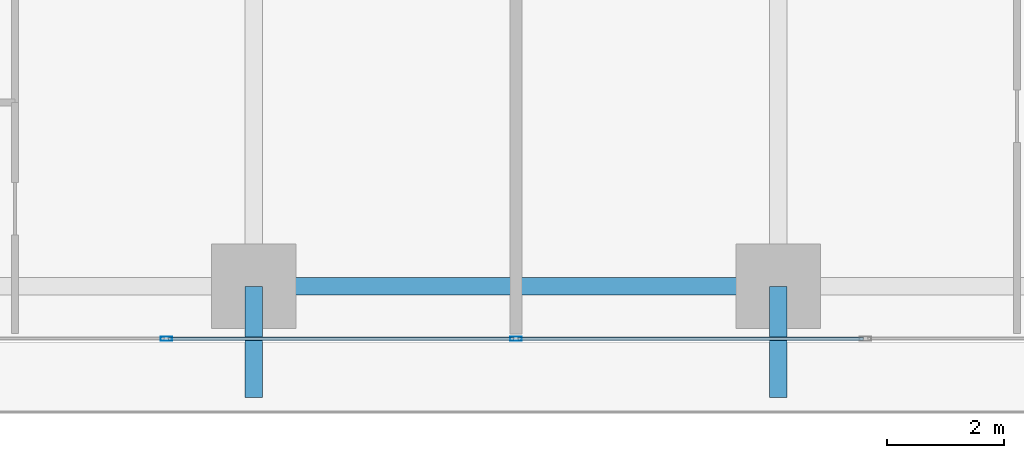
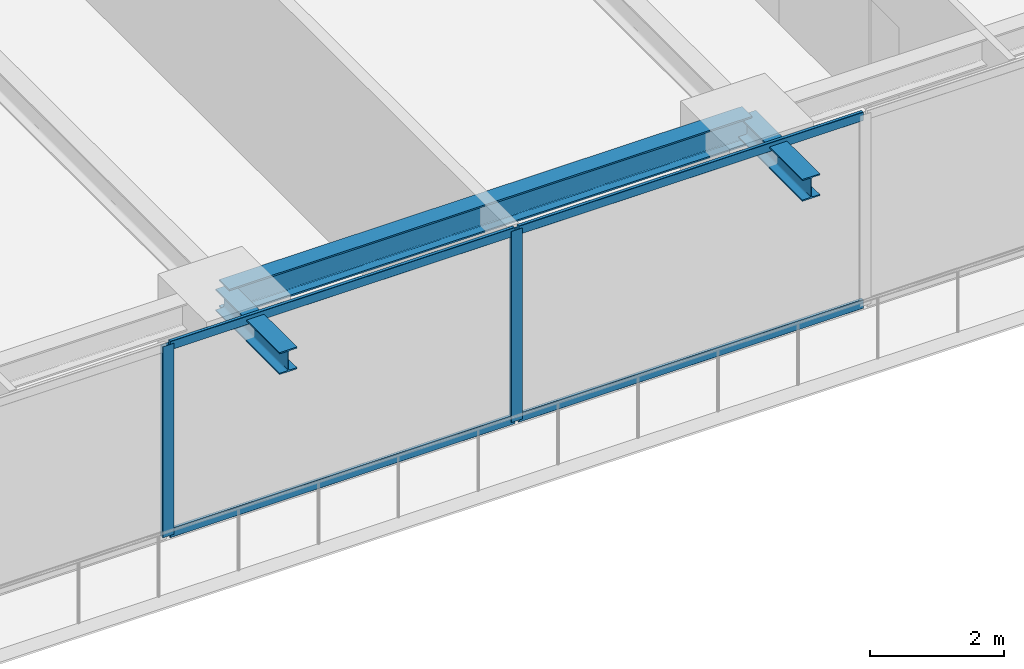
# One storey, part 5 of 39: 6 members, 3 beams, 1 element without a shape of its own.
"""IFC4 building model written with IfcOpenShell, lengths in metres."""

from ifc_helpers import new_model, si_unit, direction, frame, origin, origin_2d, place, context, subcontext, project, spatial, hollow_rectangle, i_section, extrude, source, transform, mapped, material, layer, layer_set, material_profile, profile_set, type_object, element, aggregate, save


model = new_model("IFC4")

# Units and contexts
model_context = context("Model", 3, precision=1e-05, world=origin(), true_north=direction((0.0, 1.0)))
body_context = subcontext(model_context, "Body", "Model", "MODEL_VIEW")
ifc_project = project(units=[si_unit("LENGTHUNIT", "METRE"), si_unit("AREAUNIT", "SQUARE_METRE"), si_unit("VOLUMEUNIT", "CUBIC_METRE"), si_unit("PLANEANGLEUNIT", "RADIAN"), si_unit("MASSUNIT", "GRAM", prefix="KILO")], contexts=[model_context])

# Site, building, storey
site_placement = place(None, origin())
site = spatial("IfcSite", under=ifc_project, at=site_placement, CompositionType="ELEMENT")
building_placement = place(site_placement, origin())
building = spatial("IfcBuilding", under=site, at=building_placement, Name="Serunith Strait Residences", CompositionType="ELEMENT")
storey_placement = place(building_placement, frame((0.0, 0.0, 97.949951171875)))
storey = spatial("IfcBuildingStorey", under=building, at=storey_placement, Name="L24", CompositionType="ELEMENT", Elevation=97.949951171875)

# Beams
ifc_material_1 = material(Name="Steel S355J2", Category="steel")
ifc_material_profile_1 = material_profile(ifc_material_1, i_section(OverallWidth=0.300048828125, OverallDepth=0.5, WebThickness=0.014404296875, FlangeThickness=0.028076171875, FilletRadius=0.027099609375, at=origin_2d()), Name="HEB 500")
ifc_profile_set_1 = profile_set([ifc_material_profile_1], Name="Steel S355J2")
beam_type_1 = type_object("IfcBeamType", Name="BM-HEB500", PredefinedType="BEAM", material=ifc_profile_set_1)
shared_shape_1 = source(origin(), body_context, "Body", "SweptSolid", [
    extrude(i_section(OverallWidth=0.300048828125, OverallDepth=0.5, WebThickness=0.014404296875, FlangeThickness=0.028076171875, FilletRadius=0.027099609375, at=origin_2d()), origin(), (0.0, 0.0, 1.0), 9.0),
])
beam_placement = place(storey_placement, frame((27.89990234375, 1.10009765625, 3.237060546875), z_axis=(1.0, 0.0, 0.0), x_axis=(0.0, 1.0, 0.0)))
element("IfcBeam", 1, at=beam_placement, inside=storey, type_object=beam_type_1, Name="L24 Perimeter Ring Beam 02", PredefinedType="BEAM", context=body_context, shape_type="MappedRepresentation", body=[
    mapped(shared_shape_1, transform((0.0, 0.0, 0.0), scale=1.0)),
])
ifc_material_profile_2 = material_profile(ifc_material_1, i_section(OverallWidth=0.300048828125, OverallDepth=0.39990234375, WebThickness=0.013427734375, FlangeThickness=0.02392578125, FilletRadius=0.027099609375, at=origin_2d()), Name="HEB 400")
ifc_profile_set_2 = profile_set([ifc_material_profile_2], Name="Steel S355J2")
beam_type_2 = type_object("IfcBeamType", Name="BM-HEB400", PredefinedType="BEAM", material=ifc_profile_set_2)
shared_shape_2 = source(origin(), body_context, "Body", "SweptSolid", [
    extrude(i_section(OverallWidth=0.300048828125, OverallDepth=0.39990234375, WebThickness=0.013427734375, FlangeThickness=0.02392578125, FilletRadius=0.027099609375, at=origin_2d()), origin(), (0.0, 0.0, 1.0), 1.91015625),
])
for number, where, z_axis, x_axis, name in (
    (2, (27.89990234375, 1.10009765625, 3.257080078125), (0.0, -1.0, 0.0), (1.0, 0.0, 0.0), "L25 Cantilevered Balcony Rib TC-S2"),
    (3, (36.89990234375, 1.10009765625, 3.257080078125), (0.0, -1.0, 0.0), (1.0, 0.0, 0.0), "L25 Cantilevered Balcony Rib TC-S3"),
):
    element("IfcBeam", number, at=place(storey_placement, frame(where, z_axis=z_axis, x_axis=x_axis)), inside=storey, type_object=beam_type_2, Name=name, PredefinedType="BEAM", context=body_context, shape_type="MappedRepresentation", body=[
        mapped(shared_shape_2, transform((0.0, 0.0, 0.0), scale=1.0)),
    ])

# Curtain wall, members
ifc_material_2 = material(Name="Pale-Champagne Anodised Aluminium", Category="aluminium")
ifc_layer = layer(ifc_material_2, 0.199951171875, Name="Pale-Champagne Anodised Aluminium")
ifc_layer_set = layer_set([ifc_layer], Name="Pale-Champagne Anodised Aluminium")
curtain_wall_type = type_object("IfcCurtainWallType", Name="CW-SYS1", PredefinedType="NOTDEFINED", material=ifc_layer_set)
curtain_wall_placement = place(storey_placement, origin())
curtain_wall = element("IfcCurtainWall", 4, at=curtain_wall_placement, inside=storey, type_object=curtain_wall_type, Name="L24 S Unitised Fritted Curtain Wall", PredefinedType="NOTDEFINED")
ifc_material_profile_3 = material_profile(ifc_material_2, hollow_rectangle(XDim=0.070068359375, YDim=0.199951171875, WallThickness=0.00390625, InnerFilletRadius=0.006103515625, OuterFilletRadius=0.010009765625, at=origin_2d()), Name="ALU 200x70x4")
ifc_profile_set_3 = profile_set([ifc_material_profile_3], Name="Pale-Champagne Anodised Aluminium")
member_type_1 = type_object("IfcMemberType", Name="CW-SYS1-MULL", PredefinedType="MULLION", material=ifc_profile_set_3)
shared_shape_3 = source(origin(), body_context, "Body", "SweptSolid", [
    extrude(hollow_rectangle(XDim=0.070068359375, YDim=0.199951171875, WallThickness=0.00390625, InnerFilletRadius=0.006103515625, OuterFilletRadius=0.010009765625, at=origin_2d()), origin(), (0.0, 0.0, 1.0), 3.47509765625),
])
member_1_placement = place(storey_placement, frame((26.39990234375, 0.199951171875, 0.0), z_axis=(0.0, 0.0, 1.0), x_axis=(0.0, 1.0, 0.0)))
member_1 = element("IfcMember", 5, at=member_1_placement, type_object=member_type_1, Name="CW-1 mullion 3", PredefinedType="MULLION", context=body_context, shape_type="MappedRepresentation", body=[
    mapped(shared_shape_3, transform((0.0, 0.0, 0.0), scale=1.0)),
])
member_2_placement = place(storey_placement, frame((32.39990234375, 0.199951171875, 0.0), z_axis=(0.0, 0.0, 1.0), x_axis=(0.0, 1.0, 0.0)))
member_2 = element("IfcMember", 6, at=member_2_placement, type_object=member_type_1, Name="CW-1 mullion 4", PredefinedType="MULLION", context=body_context, shape_type="MappedRepresentation", body=[
    mapped(shared_shape_3, transform((0.0, 0.0, 0.0), scale=1.0)),
])
ifc_material_profile_4 = material_profile(ifc_material_2, hollow_rectangle(XDim=0.06005859375, YDim=0.159912109375, WallThickness=0.00341796875, InnerFilletRadius=0.00537109375, OuterFilletRadius=0.0087890625, at=origin_2d()), Name="ALU 160x60x3.5")
ifc_profile_set_4 = profile_set([ifc_material_profile_4], Name="Pale-Champagne Anodised Aluminium")
member_type_2 = type_object("IfcMemberType", Name="CW-SYS1-TRAN", PredefinedType="USERDEFINED", material=ifc_profile_set_4)
shared_shape_4 = source(origin(), body_context, "Body", "SweptSolid", [
    extrude(hollow_rectangle(XDim=0.06005859375, YDim=0.159912109375, WallThickness=0.00341796875, InnerFilletRadius=0.00537109375, OuterFilletRadius=0.0087890625, at=origin_2d()), origin(), (0.0, 0.0, 1.0), 5.929931640625),
])
member_3_placement = place(storey_placement, frame((26.43505859375, 0.199951171875, 0.030029296875), z_axis=(1.0, 0.0, 0.0), x_axis=(0.0, 1.0, 0.0)))
member_3 = element("IfcMember", 7, at=member_3_placement, type_object=member_type_2, Name="CW-1 transom 3.1", ObjectType="TRANSOM", PredefinedType="USERDEFINED", context=body_context, shape_type="MappedRepresentation", body=[
    mapped(shared_shape_4, transform((0.0, 0.0, 0.0), scale=1.0)),
])
member_4_placement = place(storey_placement, frame((26.43505859375, 0.199951171875, 3.445068359375), z_axis=(1.0, 0.0, 0.0), x_axis=(0.0, 1.0, 0.0)))
member_4 = element("IfcMember", 8, at=member_4_placement, type_object=member_type_2, Name="CW-1 transom 3.2", ObjectType="TRANSOM", PredefinedType="USERDEFINED", context=body_context, shape_type="MappedRepresentation", body=[
    mapped(shared_shape_4, transform((0.0, 0.0, 0.0), scale=1.0)),
])
member_5_placement = place(storey_placement, frame((32.43505859375, 0.199951171875, 0.030029296875), z_axis=(1.0, 0.0, 0.0), x_axis=(0.0, 1.0, 0.0)))
member_5 = element("IfcMember", 9, at=member_5_placement, type_object=member_type_2, Name="CW-1 transom 4.1", ObjectType="TRANSOM", PredefinedType="USERDEFINED", context=body_context, shape_type="MappedRepresentation", body=[
    mapped(shared_shape_4, transform((0.0, 0.0, 0.0), scale=1.0)),
])
member_6_placement = place(storey_placement, frame((32.43505859375, 0.199951171875, 3.445068359375), z_axis=(1.0, 0.0, 0.0), x_axis=(0.0, 1.0, 0.0)))
member_6 = element("IfcMember", 10, at=member_6_placement, type_object=member_type_2, Name="CW-1 transom 4.2", ObjectType="TRANSOM", PredefinedType="USERDEFINED", context=body_context, shape_type="MappedRepresentation", body=[
    mapped(shared_shape_4, transform((0.0, 0.0, 0.0), scale=1.0)),
])
aggregate(curtain_wall, [member_1, member_2, member_3, member_4, member_5, member_6])

save(model, "model.ifc")
